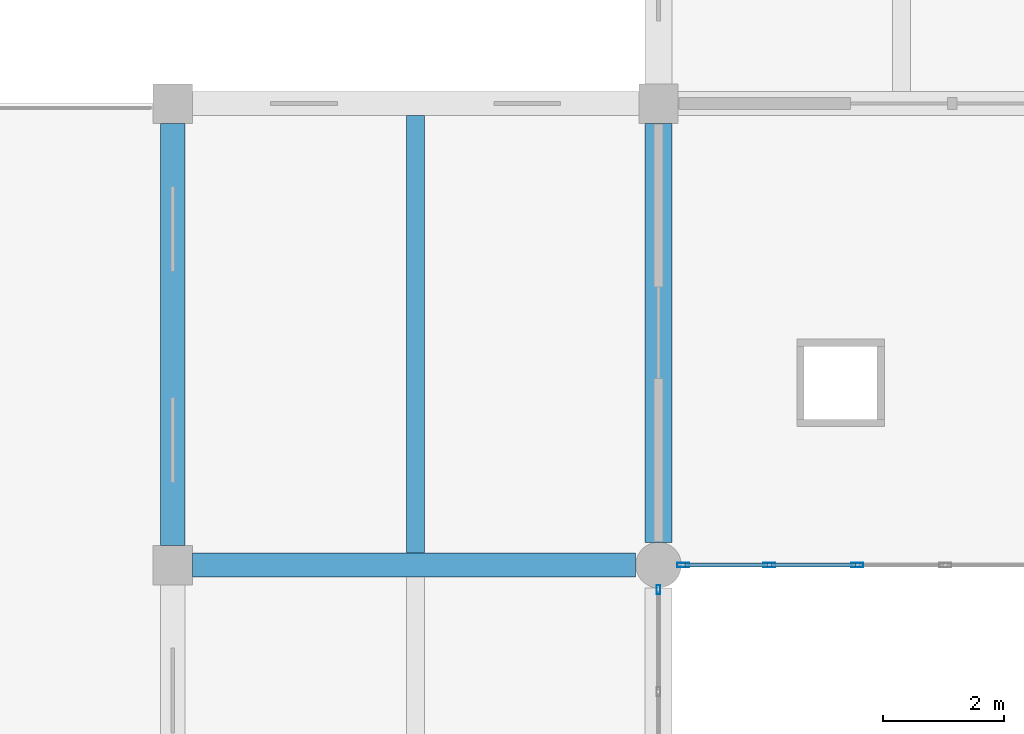
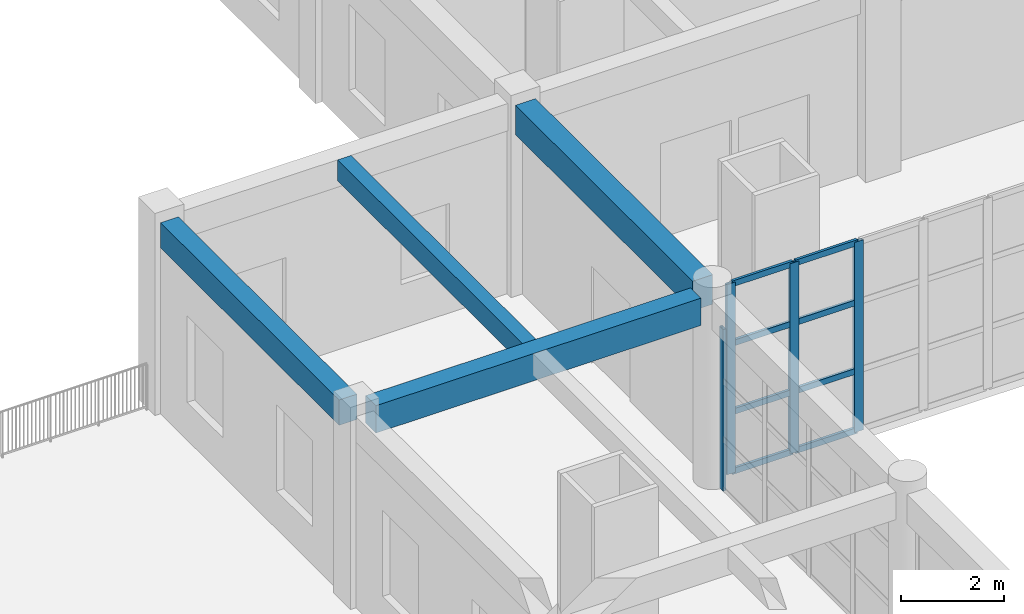
# One storey, part 32 of 101: 12 members, 4 beams, 2 elements without a shape of their own.
"""IFC4 building model written with IfcOpenShell, lengths in metres."""

from ifc_helpers import new_model, si_unit, direction, frame, origin, origin_2d, place, context, subcontext, project, spatial, rectangle, hollow_rectangle, extrude, material, material_profile, profile_set, type_object, element, aggregate, save


model = new_model("IFC4")

# Units and contexts
model_context = context("Model", 3, precision=1e-05, world=origin(), true_north=direction((0.0, 1.0)))
body_context = subcontext(model_context, "Body", "Model", "MODEL_VIEW")
ifc_project = project(units=[si_unit("LENGTHUNIT", "METRE"), si_unit("AREAUNIT", "SQUARE_METRE"), si_unit("VOLUMEUNIT", "CUBIC_METRE"), si_unit("PLANEANGLEUNIT", "RADIAN"), si_unit("MASSUNIT", "GRAM", prefix="KILO")], contexts=[model_context])

# Site, building, storey
site_placement = place(None, origin())
site = spatial("IfcSite", under=ifc_project, at=site_placement, CompositionType="ELEMENT")
building_placement = place(site_placement, origin())
building = spatial("IfcBuilding", under=site, at=building_placement, Name="Zantavel Square City Hall", CompositionType="ELEMENT")
storey_placement = place(building_placement, frame((0.0, 0.0, 5.39990234375)))
storey = spatial("IfcBuildingStorey", under=building, at=storey_placement, Name="L02", CompositionType="ELEMENT", Elevation=5.39990234375)

# Curtain wall, members
ifc_material_1 = material(Name="Anodised aluminium 6063-T6", Category="aluminium")
curtain_wall_type_1 = type_object("IfcCurtainWallType", Name="Curtain Wall CRT 7250x4520", PredefinedType="USERDEFINED", material=ifc_material_1)
curtain_wall_1_placement = place(storey_placement, origin())
curtain_wall_1 = element("IfcCurtainWall", 1, at=curtain_wall_1_placement, inside=storey, type_object=curtain_wall_type_1, Name="L02 Glazed Curtain Wall CW-L02-068", ObjectType="GLAZED CURTAIN WALL", PredefinedType="USERDEFINED")
ifc_material_profile_1 = material_profile(ifc_material_1, hollow_rectangle(XDim=0.070068359375, YDim=0.199951171875, WallThickness=0.00439453125, at=origin_2d()), Name="ALU 70x200x4.5")
ifc_profile_set_1 = profile_set([ifc_material_profile_1], Name="Anodised aluminium 6063-T6")
member_type_1 = type_object("IfcMemberType", Name="CW Heavy Hall Mullion ALU 70x200x4.5", PredefinedType="MULLION", material=ifc_profile_set_1)
member_1_placement = place(storey_placement, frame((19.27490234375, 68.39990234375, 0.0), z_axis=(0.0, 0.0, 1.0), x_axis=(0.0, -1.0, 0.0)))
member_1 = element("IfcMember", 2, at=member_1_placement, type_object=member_type_1, Name="CW-068 mullion 4", PredefinedType="MULLION", context=body_context, shape_type="SweptSolid", body=[
    extrude(hollow_rectangle(XDim=0.070068359375, YDim=0.199951171875, WallThickness=0.00439453125, at=origin_2d()), origin(), (0.0, 0.0, 1.0), 4.52001953125),
])
member_2_placement = place(storey_placement, frame((17.824951171875, 68.39990234375, 0.0), z_axis=(0.0, 0.0, 1.0), x_axis=(0.0, -1.0, 0.0)))
member_2 = element("IfcMember", 3, at=member_2_placement, type_object=member_type_1, Name="CW-068 mullion 5", PredefinedType="MULLION", context=body_context, shape_type="SweptSolid", body=[
    extrude(hollow_rectangle(XDim=0.070068359375, YDim=0.199951171875, WallThickness=0.00439453125, at=origin_2d()), origin(), (0.0, 0.0, 1.0), 4.52001953125),
])
member_3_placement = place(storey_placement, frame((16.405029296875, 68.39990234375, 0.0), z_axis=(0.0, 0.0, 1.0), x_axis=(0.0, -1.0, 0.0)))
member_3 = element("IfcMember", 4, at=member_3_placement, type_object=member_type_1, Name="CW-068 mullion 6", PredefinedType="MULLION", context=body_context, shape_type="SweptSolid", body=[
    extrude(hollow_rectangle(XDim=0.070068359375, YDim=0.199951171875, WallThickness=0.00439453125, at=origin_2d()), origin(), (0.0, 0.0, 1.0), 4.52001953125),
])

# Curtain wall, member
curtain_wall_type_2 = type_object("IfcCurtainWallType", Name="Curtain Wall CRT 6850x3840", PredefinedType="USERDEFINED", material=ifc_material_1)
curtain_wall_2_placement = place(storey_placement, origin())
curtain_wall_2 = element("IfcCurtainWall", 5, at=curtain_wall_2_placement, inside=storey, type_object=curtain_wall_type_2, Name="L02 Glazed Curtain Wall CW-L02-069", ObjectType="GLAZED CURTAIN WALL", PredefinedType="USERDEFINED")
ifc_material_profile_2 = material_profile(ifc_material_1, hollow_rectangle(XDim=0.06494140625, YDim=0.14990234375, WallThickness=0.00390625, at=origin_2d()), Name="ALU 65x150x4")
ifc_profile_set_2 = profile_set([ifc_material_profile_2], Name="Anodised aluminium 6063-T6")
member_type_2 = type_object("IfcMemberType", Name="CW Mullion ALU 65x150x4", PredefinedType="MULLION", material=ifc_profile_set_2)
member_4_placement = place(storey_placement, frame((16.0, 67.9951171875, 0.0), z_axis=(0.0, 0.0, 1.0), x_axis=(1.0, 0.0, 0.0)))
member_4 = element("IfcMember", 6, at=member_4_placement, type_object=member_type_2, Name="CW-069 mullion 1", PredefinedType="MULLION", context=body_context, shape_type="SweptSolid", body=[
    extrude(hollow_rectangle(XDim=0.06494140625, YDim=0.14990234375, WallThickness=0.00390625, at=origin_2d()), origin(), (0.0, 0.0, 1.0), 3.840087890625),
])
aggregate(curtain_wall_2, [member_4])

# Member
ifc_material_profile_3 = material_profile(ifc_material_1, hollow_rectangle(XDim=0.06005859375, YDim=0.139892578125, WallThickness=0.00390625, at=origin_2d()), Name="ALU 60x140x4")
ifc_profile_set_3 = profile_set([ifc_material_profile_3], Name="Anodised aluminium 6063-T6")
member_type_3 = type_object("IfcMemberType", Name="CW Transom ALU 60x140x4", PredefinedType="USERDEFINED", material=ifc_profile_set_3)
member_5_placement = place(storey_placement, frame((19.2451171875, 68.39990234375, 0.030029296875), z_axis=(-1.0, 0.0, 0.0), x_axis=(0.0, -1.0, 0.0)))
member_5 = element("IfcMember", 7, at=member_5_placement, type_object=member_type_3, Name="CW-068 transom 4.1", ObjectType="TRANSOM", PredefinedType="USERDEFINED", context=body_context, shape_type="SweptSolid", body=[
    extrude(hollow_rectangle(XDim=0.06005859375, YDim=0.139892578125, WallThickness=0.00390625, at=origin_2d()), origin(), (0.0, 0.0, 1.0), 1.39013671875),
])

member_6_placement = place(storey_placement, frame((19.2451171875, 68.39990234375, 1.446044921875), z_axis=(-1.0, 0.0, 0.0), x_axis=(0.0, -1.0, 0.0)))
member_6 = element("IfcMember", 8, at=member_6_placement, type_object=member_type_3, Name="CW-068 transom 4.2", ObjectType="TRANSOM", PredefinedType="USERDEFINED", context=body_context, shape_type="SweptSolid", body=[
    extrude(hollow_rectangle(XDim=0.06005859375, YDim=0.139892578125, WallThickness=0.00390625, at=origin_2d()), origin(), (0.0, 0.0, 1.0), 1.39013671875),
])

member_7_placement = place(storey_placement, frame((19.2451171875, 68.39990234375, 3.07421875), z_axis=(-1.0, 0.0, 0.0), x_axis=(0.0, -1.0, 0.0)))
member_7 = element("IfcMember", 9, at=member_7_placement, type_object=member_type_3, Name="CW-068 transom 4.3", ObjectType="TRANSOM", PredefinedType="USERDEFINED", context=body_context, shape_type="SweptSolid", body=[
    extrude(hollow_rectangle(XDim=0.06005859375, YDim=0.139892578125, WallThickness=0.00390625, at=origin_2d()), origin(), (0.0, 0.0, 1.0), 1.39013671875),
])

member_8_placement = place(storey_placement, frame((19.2451171875, 68.39990234375, 4.489990234375), z_axis=(-1.0, 0.0, 0.0), x_axis=(0.0, -1.0, 0.0)))
member_8 = element("IfcMember", 10, at=member_8_placement, type_object=member_type_3, Name="CW-068 transom 4.4", ObjectType="TRANSOM", PredefinedType="USERDEFINED", context=body_context, shape_type="SweptSolid", body=[
    extrude(hollow_rectangle(XDim=0.06005859375, YDim=0.139892578125, WallThickness=0.00390625, at=origin_2d()), origin(), (0.0, 0.0, 1.0), 1.39013671875),
])

member_9_placement = place(storey_placement, frame((17.794921875, 68.39990234375, 0.030029296875), z_axis=(-1.0, 0.0, 0.0), x_axis=(0.0, -1.0, 0.0)))
member_9 = element("IfcMember", 11, at=member_9_placement, type_object=member_type_3, Name="CW-068 transom 5.1", ObjectType="TRANSOM", PredefinedType="USERDEFINED", context=body_context, shape_type="SweptSolid", body=[
    extrude(hollow_rectangle(XDim=0.06005859375, YDim=0.139892578125, WallThickness=0.00390625, at=origin_2d()), origin(), (0.0, 0.0, 1.0), 1.35986328125),
])

member_10_placement = place(storey_placement, frame((17.794921875, 68.39990234375, 1.446044921875), z_axis=(-1.0, 0.0, 0.0), x_axis=(0.0, -1.0, 0.0)))
member_10 = element("IfcMember", 12, at=member_10_placement, type_object=member_type_3, Name="CW-068 transom 5.2", ObjectType="TRANSOM", PredefinedType="USERDEFINED", context=body_context, shape_type="SweptSolid", body=[
    extrude(hollow_rectangle(XDim=0.06005859375, YDim=0.139892578125, WallThickness=0.00390625, at=origin_2d()), origin(), (0.0, 0.0, 1.0), 1.35986328125),
])

member_11_placement = place(storey_placement, frame((17.794921875, 68.39990234375, 3.07421875), z_axis=(-1.0, 0.0, 0.0), x_axis=(0.0, -1.0, 0.0)))
member_11 = element("IfcMember", 13, at=member_11_placement, type_object=member_type_3, Name="CW-068 transom 5.3", ObjectType="TRANSOM", PredefinedType="USERDEFINED", context=body_context, shape_type="SweptSolid", body=[
    extrude(hollow_rectangle(XDim=0.06005859375, YDim=0.139892578125, WallThickness=0.00390625, at=origin_2d()), origin(), (0.0, 0.0, 1.0), 1.35986328125),
])

member_12_placement = place(storey_placement, frame((17.794921875, 68.39990234375, 4.489990234375), z_axis=(-1.0, 0.0, 0.0), x_axis=(0.0, -1.0, 0.0)))
member_12 = element("IfcMember", 14, at=member_12_placement, type_object=member_type_3, Name="CW-068 transom 5.4", ObjectType="TRANSOM", PredefinedType="USERDEFINED", context=body_context, shape_type="SweptSolid", body=[
    extrude(hollow_rectangle(XDim=0.06005859375, YDim=0.139892578125, WallThickness=0.00390625, at=origin_2d()), origin(), (0.0, 0.0, 1.0), 1.35986328125),
])

aggregate(curtain_wall_1, [member_1, member_2, member_3, member_5, member_6, member_7, member_8, member_9, member_10, member_11, member_12])

# Beams
ifc_material_2 = material(Name="Concrete C35/45", Category="concrete")
ifc_material_profile_4 = material_profile(ifc_material_2, rectangle(XDim=0.300048828125, YDim=0.5, at=origin_2d()), Name="RC 300x500")
ifc_profile_set_4 = profile_set([ifc_material_profile_4], Name="Concrete C35/45")
beam_type_1 = type_object("IfcBeamType", Name="Floor Joist RC 300x500 C35/45", PredefinedType="JOIST", material=ifc_profile_set_4)
beam_1_placement = place(storey_placement, frame((12.0, 68.60009765625, 4.2900390625), z_axis=(0.0, 1.0, 0.0), x_axis=(-1.0, 0.0, 0.0)))
element("IfcBeam", 15, at=beam_1_placement, inside=storey, type_object=beam_type_1, Name="L02 Floor Joist JST-L02-0120-0684", PredefinedType="JOIST", context=body_context, shape_type="SweptSolid", body=[
    extrude(rectangle(XDim=0.300048828125, YDim=0.5, at=origin_2d()), origin(), (0.0, 0.0, 1.0), 7.199951171875),
])
ifc_material_profile_5 = material_profile(ifc_material_2, rectangle(XDim=0.39990234375, YDim=0.64990234375, at=origin_2d()), Name="RC 400x650")
ifc_profile_set_5 = profile_set([ifc_material_profile_5], Name="Concrete C35/45")
beam_type_2 = type_object("IfcBeamType", Name="Frame Beam RC 400x650 C35/45", PredefinedType="BEAM", material=ifc_profile_set_5)
beam_2_placement = place(storey_placement, frame((8.324951171875, 68.39990234375, 4.215087890625), z_axis=(1.0, 0.0, 0.0), x_axis=(0.0, 1.0, 0.0)))
element("IfcBeam", 16, at=beam_2_placement, inside=storey, type_object=beam_type_2, Name="L02 Girder BMX-L02-0080-0684", PredefinedType="BEAM", context=body_context, shape_type="SweptSolid", body=[
    extrude(rectangle(XDim=0.39990234375, YDim=0.64990234375, at=origin_2d()), origin(), (0.0, 0.0, 1.0), 7.300048828125),
])
ifc_material_profile_6 = material_profile(ifc_material_2, rectangle(XDim=0.39990234375, YDim=0.60009765625, at=origin_2d()), Name="RC 400x600")
ifc_profile_set_6 = profile_set([ifc_material_profile_6], Name="Concrete C35/45")
beam_type_3 = type_object("IfcBeamType", Name="Perimeter Spandrel RC 400x600 C35/45", PredefinedType="SPANDREL", material=ifc_profile_set_6)
beam_3_placement = place(storey_placement, frame((8.0, 68.72509765625, 4.239990234375), z_axis=(0.0, 1.0, 0.0), x_axis=(-1.0, 0.0, 0.0)))
element("IfcBeam", 17, at=beam_3_placement, inside=storey, type_object=beam_type_3, Name="L02 Beam BMY-L02-0080-0684", PredefinedType="SPANDREL", context=body_context, shape_type="SweptSolid", body=[
    extrude(rectangle(XDim=0.39990234375, YDim=0.60009765625, at=origin_2d()), origin(), (0.0, 0.0, 1.0), 6.949951171875),
])
ifc_material_profile_7 = material_profile(ifc_material_2, rectangle(XDim=0.449951171875, YDim=0.699951171875, at=origin_2d()), Name="RC 450x700")
ifc_profile_set_7 = profile_set([ifc_material_profile_7], Name="Concrete C35/45")
beam_type_4 = type_object("IfcBeamType", Name="Primary Girder RC 450x700 C35/45", PredefinedType="BEAM", material=ifc_profile_set_7)
beam_4_placement = place(storey_placement, frame((16.0, 68.77490234375, 4.190185546875), z_axis=(0.0, 1.0, 0.0), x_axis=(-1.0, 0.0, 0.0)))
element("IfcBeam", 18, at=beam_4_placement, inside=storey, type_object=beam_type_4, Name="L02 Beam BMY-L02-0160-0684", PredefinedType="BEAM", context=body_context, shape_type="SweptSolid", body=[
    extrude(rectangle(XDim=0.449951171875, YDim=0.699951171875, at=origin_2d()), origin(), (0.0, 0.0, 1.0), 6.900146484375),
])

save(model, "model.ifc")
